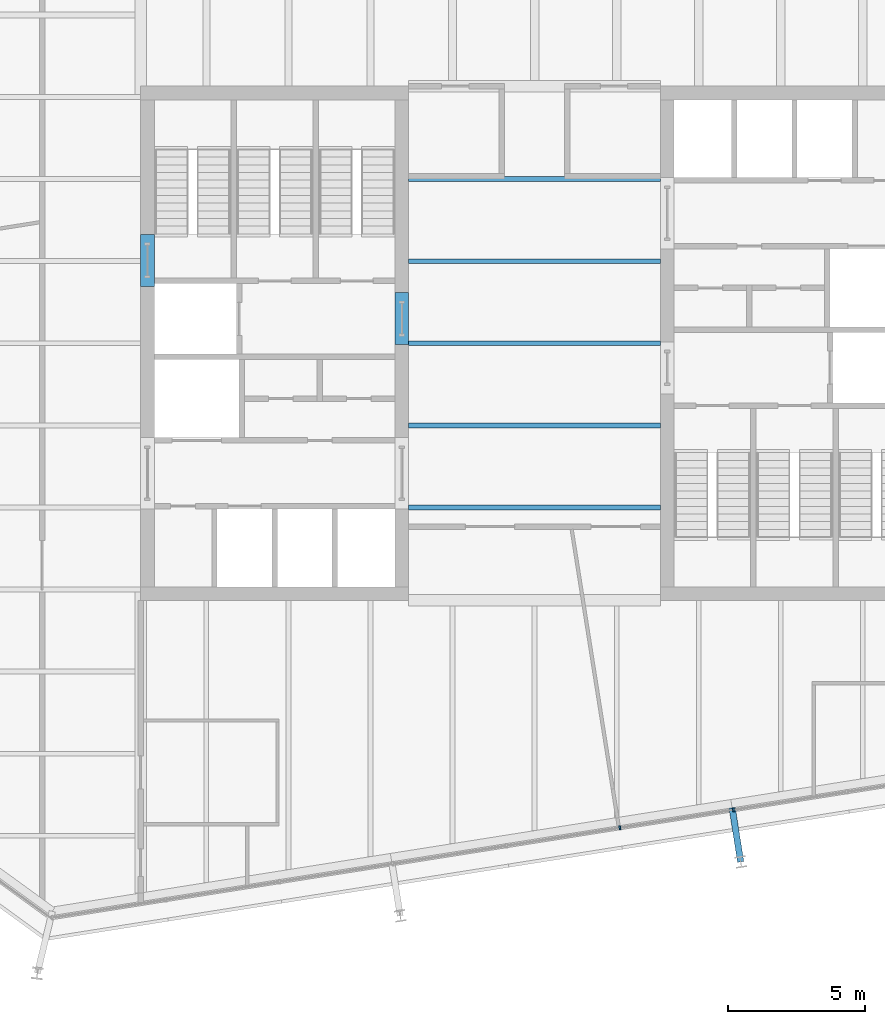
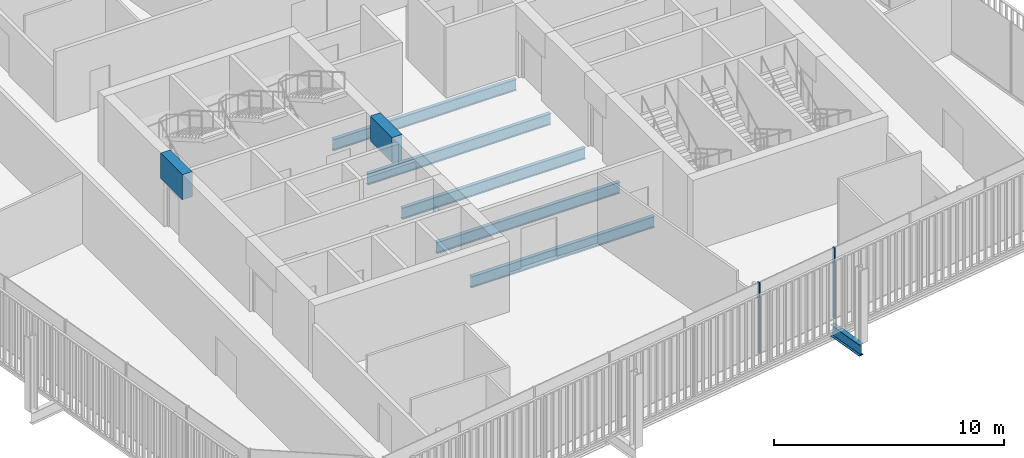
# One storey, part 7 of 20: 8 beams, 2 members, 1 element without a shape of its own.
"""IFC4 building model written with IfcOpenShell, lengths in metres."""

from ifc_helpers import new_model, si_unit, direction, frame, origin, origin_2d, place, context, subcontext, project, spatial, rectangle, i_section, extrude, material, layer, layer_set, material_profile, profile_set, type_object, element, aggregate, save


model = new_model("IFC4")

# Units and contexts
model_context = context("Model", 3, precision=1e-05, world=origin(), true_north=direction((0.0, 1.0)))
body_context = subcontext(model_context, "Body", "Model", "MODEL_VIEW")
ifc_project = project(units=[si_unit("LENGTHUNIT", "METRE"), si_unit("AREAUNIT", "SQUARE_METRE"), si_unit("VOLUMEUNIT", "CUBIC_METRE"), si_unit("PLANEANGLEUNIT", "RADIAN"), si_unit("MASSUNIT", "GRAM", prefix="KILO")], contexts=[model_context])

# Site, building, storey
site_placement = place(None, origin())
site = spatial("IfcSite", under=ifc_project, at=site_placement, CompositionType="ELEMENT")
building_placement = place(site_placement, origin())
building = spatial("IfcBuilding", under=site, at=building_placement, Name="Millrace Tower", CompositionType="ELEMENT")
storey_placement = place(building_placement, frame((0.0, 0.0, 216.39990234375)))
storey = spatial("IfcBuildingStorey", under=building, at=storey_placement, Name="L49", CompositionType="ELEMENT", Elevation=216.39990234375)

# Curtain wall, members
ifc_material_1 = material(Name="Aluminium and glass", Category="aluminium")
ifc_layer = layer(ifc_material_1, 0.14990234375)
ifc_layer_set = layer_set([ifc_layer], Name="Aluminium and glass")
curtain_wall_type = type_object("IfcCurtainWallType", Name="CW-1 office vision curtain wall", PredefinedType="NOTDEFINED", material=ifc_layer_set)
curtain_wall_placement = place(storey_placement, origin())
curtain_wall = element("IfcCurtainWall", 1, at=curtain_wall_placement, inside=storey, type_object=curtain_wall_type, Name="Curtain wall D-F02 L49", PredefinedType="NOTDEFINED")
ifc_material_2 = material(Name="Aluminium", Category="aluminium")
ifc_material_profile_1 = material_profile(ifc_material_2, rectangle(XDim=0.06494140625, YDim=0.14990234375, at=origin_2d()))
ifc_profile_set_1 = profile_set([ifc_material_profile_1], Name="Aluminium")
member_type = type_object("IfcMemberType", Name="CW-1 office vision curtain wall mullion", PredefinedType="MULLION", material=ifc_profile_set_1)
member_1_placement = place(storey_placement, frame((3.115966796875, -17.707275390625, 0.14013671875), z_axis=(0.0, 0.0, 1.0), x_axis=(0.987688339511, 0.156434471884, 0.0)))
member_1 = element("IfcMember", 2, at=member_1_placement, type_object=member_type, Name="CW1 mullion D-F02.6", PredefinedType="MULLION", context=body_context, shape_type="SweptSolid", body=[
    extrude(rectangle(XDim=0.06494140625, YDim=0.14990234375, at=origin_2d()), origin(), (0.0, 0.0, 1.0), 3.760009765625),
])
member_2_placement = place(storey_placement, frame((7.26416015625, -17.05029296875, 0.14013671875), z_axis=(0.0, 0.0, 1.0), x_axis=(0.987688339511, 0.156434471884, 0.0)))
member_2 = element("IfcMember", 3, at=member_2_placement, type_object=member_type, Name="CW1 mullion D-F02.7", PredefinedType="MULLION", context=body_context, shape_type="SweptSolid", body=[
    extrude(rectangle(XDim=0.06494140625, YDim=0.14990234375, at=origin_2d()), origin(), (0.0, 0.0, 1.0), 3.760009765625),
])
aggregate(curtain_wall, [member_1, member_2])

# Beams
ifc_material_3 = material(Name="Concrete C60", Category="concrete")
ifc_material_profile_2 = material_profile(ifc_material_3, rectangle(XDim=0.5, YDim=1.340087890625, at=origin_2d()))
ifc_profile_set_2 = profile_set([ifc_material_profile_2], Name="Concrete C60")
beam_type_1 = type_object("IfcBeamType", Name="Coupling beam 500 x 1340 Concrete C60, 1300 opening", PredefinedType="BEAM", material=ifc_profile_set_2)
beam_1_placement = place(storey_placement, frame((-14.14990234375, 2.080078125, 3.070068359375), z_axis=(0.0, 1.0, 0.0), x_axis=(-1.0, 0.0, 0.0)))
element("IfcBeam", 4, at=beam_1_placement, inside=storey, type_object=beam_type_1, Name="Coupling beam W L49", PredefinedType="BEAM", context=body_context, shape_type="SweptSolid", body=[
    extrude(rectangle(XDim=0.5, YDim=1.340087890625, at=origin_2d()), origin(), (0.0, 0.0, 1.0), 1.89990234375),
])
beam_2_placement = place(storey_placement, frame((-4.85009765625, -0.050048828125, 3.070068359375), z_axis=(0.0, 1.0, 0.0), x_axis=(-1.0, 0.0, 0.0)))
element("IfcBeam", 5, at=beam_2_placement, inside=storey, type_object=beam_type_1, Name="Coupling beam W L49", PredefinedType="BEAM", context=body_context, shape_type="SweptSolid", body=[
    extrude(rectangle(XDim=0.5, YDim=1.340087890625, at=origin_2d()), origin(), (0.0, 0.0, 1.0), 1.900146484375),
])
ifc_material_4 = material(Name="Steel ASTM A992 Grade 50", Category="steel")
ifc_material_profile_3 = material_profile(ifc_material_4, i_section(OverallWidth=0.177978515625, OverallDepth=0.599365234375, WebThickness=0.010009765625, FlangeThickness=0.012939453125, FilletRadius=0.012939453125, at=origin_2d()))
ifc_profile_set_3 = profile_set([ifc_material_profile_3], Name="Steel ASTM A992 Grade 50")
beam_type_2 = type_object("IfcBeamType", Name="Floor beam W24x55", PredefinedType="JOIST", material=ifc_profile_set_3)
for number, where, z_axis, x_axis, name in (
    (6, (-4.60009765625, -6.0, -0.459716796875), (1.0, 0.0, 0.0), (0.0, 1.0, 0.0), "BM-D-L49-S1-S008"),
    (7, (-4.60009765625, -3.0, -0.459716796875), (1.0, 0.0, 0.0), (0.0, 1.0, 0.0), "BM-D-L49-S1-S011"),
    (8, (-4.60009765625, 0.0, -0.459716796875), (1.0, 0.0, 0.0), (0.0, 1.0, 0.0), "BM-D-L49-S1-S014"),
    (9, (-4.60009765625, 3.0, -0.459716796875), (1.0, 0.0, 0.0), (0.0, 1.0, 0.0), "BM-D-L49-S1-S017"),
    (10, (-4.60009765625, 6.0, -0.459716796875), (1.0, 0.0, 0.0), (0.0, 1.0, 0.0), "BM-D-L49-S1-S020"),
):
    element("IfcBeam", number, at=place(storey_placement, frame(where, z_axis=z_axis, x_axis=x_axis)), inside=storey, type_object=beam_type_2, Name=name, PredefinedType="JOIST", context=body_context, shape_type="SweptSolid", body=[
        extrude(i_section(OverallWidth=0.177978515625, OverallDepth=0.599365234375, WebThickness=0.010009765625, FlangeThickness=0.012939453125, FilletRadius=0.012939453125, at=origin_2d()), origin(), (0.0, 0.0, 1.0), 9.2001953125),
    ])
ifc_material_5 = material(Name="Steel ASTM A992 Grade 50", Category="steel")
ifc_material_profile_4 = material_profile(ifc_material_5, i_section(OverallWidth=0.23046875, OverallDepth=0.6171875, WebThickness=0.01318359375, FlangeThickness=0.022216796875, FilletRadius=0.012939453125, at=origin_2d()))
ifc_profile_set_4 = profile_set([ifc_material_profile_4], Name="Steel ASTM A992 Grade 50")
beam_type_3 = type_object("IfcBeamType", Name="Link beam W24x94", PredefinedType="BEAM", material=ifc_profile_set_4)
beam_3_placement = place(storey_placement, frame((7.220458984375, -16.981201171875, -0.468505859375), z_axis=(0.156357438014, -0.987700537399, 0.0), x_axis=(0.987700537399, 0.156357438014, 0.0)))
element("IfcBeam", 11, at=beam_3_placement, inside=storey, type_object=beam_type_3, Name="LNK-D-L49-S1-14", PredefinedType="BEAM", context=body_context, shape_type="SweptSolid", body=[
    extrude(i_section(OverallWidth=0.23046875, OverallDepth=0.6171875, WebThickness=0.01318359375, FlangeThickness=0.022216796875, FilletRadius=0.012939453125, at=origin_2d()), origin(), (0.0, 0.0, 1.0), 2.000244140625),
])

save(model, "model.ifc")
